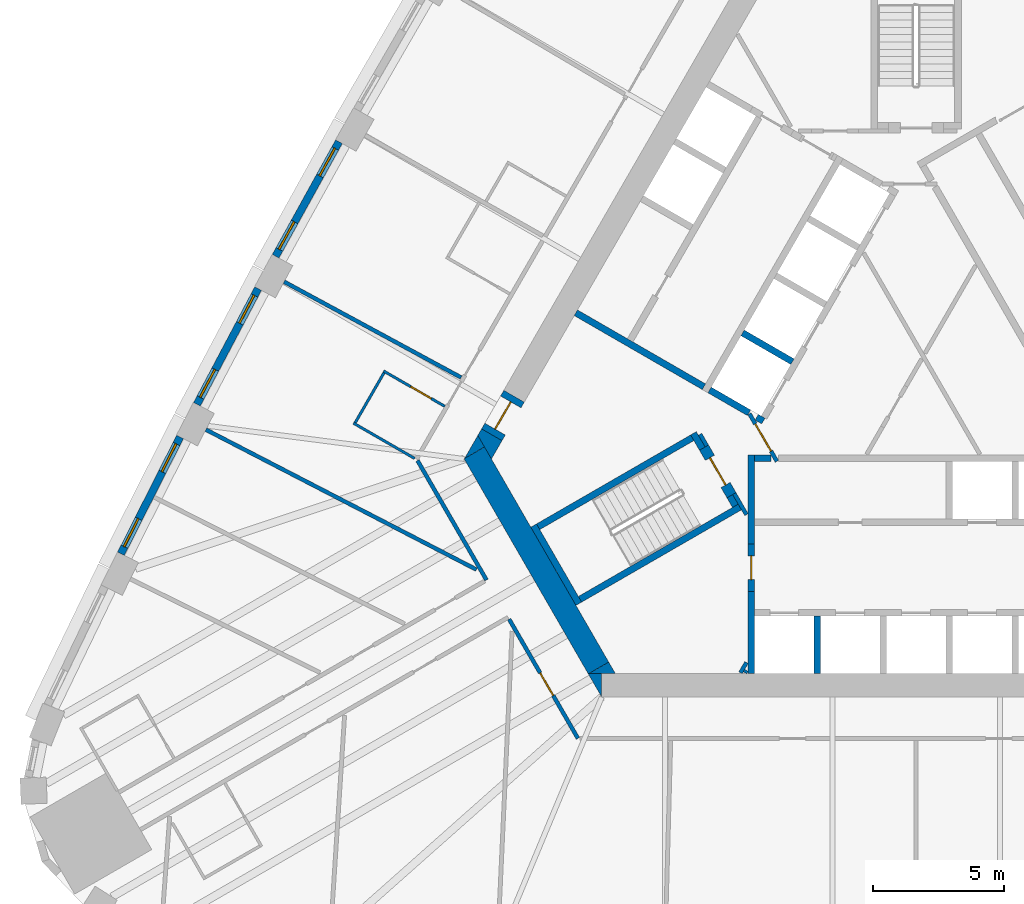
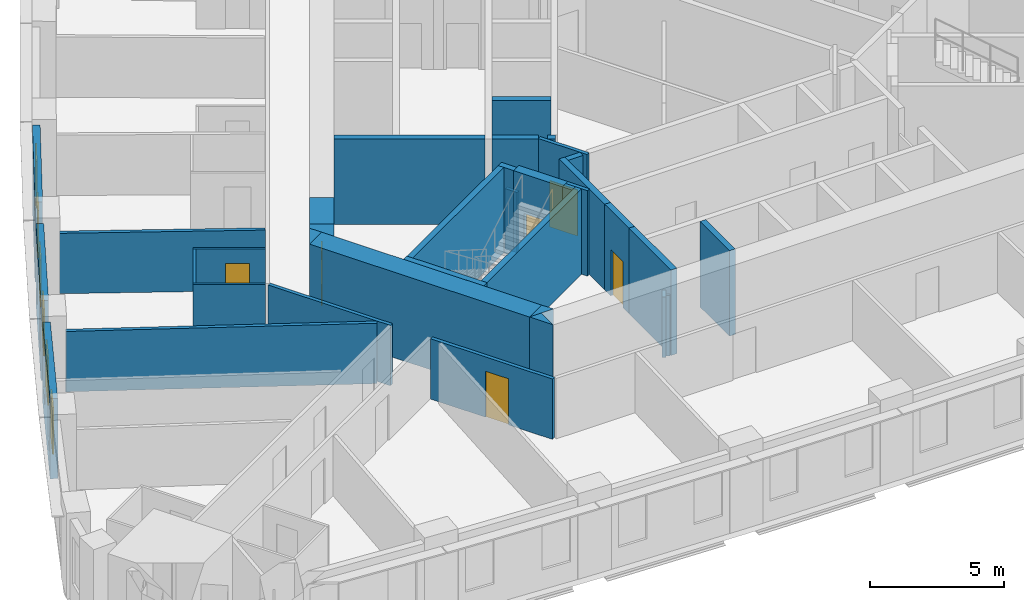
# One storey, part 4 of 12: 36 walls, 6 doors, 6 windows, 12 openings.
"""IFC4 building model written with IfcOpenShell, lengths in metres."""

from ifc_helpers import new_model, si_unit, direction, frame, frame_2d, origin, place, context, subcontext, project, spatial, polyline, rectangle, outline, extrude, material, layer, layer_set, type_object, element, fill, save


model = new_model("IFC4")

# Units and contexts
model_context = context("Model", 3, precision=1e-05, world=origin(), true_north=direction((0.0, 1.0)))
body_context = subcontext(model_context, "Body", "Model", "MODEL_VIEW")
ifc_project = project(units=[si_unit("LENGTHUNIT", "METRE"), si_unit("AREAUNIT", "SQUARE_METRE"), si_unit("VOLUMEUNIT", "CUBIC_METRE"), si_unit("PLANEANGLEUNIT", "RADIAN"), si_unit("MASSUNIT", "GRAM", prefix="KILO")], contexts=[model_context])

# Site, building, storey
site_placement = place(None, origin())
site = spatial("IfcSite", under=ifc_project, at=site_placement, CompositionType="ELEMENT")
building_placement = place(site_placement, origin())
building = spatial("IfcBuilding", under=site, at=building_placement, Name="Mestral Congress Tower", CompositionType="ELEMENT")
storey_placement = place(building_placement, frame((0.0, 0.0, 47.10009765625)))
storey = spatial("IfcBuildingStorey", under=building, at=storey_placement, Name="L10", CompositionType="ELEMENT", Elevation=47.10009765625)

# Walls
ifc_material_1 = material(Name="Fire-rated board partition")
ifc_layer_1 = layer(ifc_material_1, 0.14990234375)
ifc_layer_set_1 = layer_set([ifc_layer_1], Name="Fire-rated board partition")
wall_type_1 = type_object("IfcWallType", Name="Core partition 150", PredefinedType="PARTITIONING", material=ifc_layer_set_1)
wall_1_placement = place(storey_placement, frame((-6.707763671875, -12.068115234375, 0.0), z_axis=(0.0, 0.0, 1.0), x_axis=(0.500000789788, 0.8660249478, 0.0)))
element("IfcWall", 1, at=wall_1_placement, inside=storey, type_object=wall_type_1, Name="L10 core wall", PredefinedType="PARTITIONING", context=body_context, shape_type="SweptSolid", body=[
    extrude(rectangle(XDim=0.45556640625, YDim=0.14990234375, at=frame_2d((0.227783203125, 0.0))), origin(), (0.0, 0.0, 1.0), 2.75),
])
wall_2_placement = place(storey_placement, frame((-6.534423828125, -12.068115234375, 0.0), z_axis=(0.0, 0.0, 1.0), x_axis=(0.500240224089, 0.865886665912, 0.0)))
element("IfcWall", 2, at=wall_2_placement, inside=storey, type_object=wall_type_1, Name="L10 core wall", PredefinedType="PARTITIONING", context=body_context, shape_type="SweptSolid", body=[
    extrude(rectangle(XDim=0.10888671875, YDim=0.14990234375, at=frame_2d((0.054443359375, 0.0))), origin(), (0.0, 0.0, 1.0), 2.75),
])
wall_3_placement = place(storey_placement, frame((-8.251953125, -2.958251953125, 0.0), z_axis=(0.0, 0.0, 1.0), x_axis=(0.500174715838, -0.865924508047, 0.0)))
element("IfcWall", 3, at=wall_3_placement, inside=storey, type_object=wall_type_1, Name="L10 core wall", PredefinedType="PARTITIONING", context=body_context, shape_type="SweptSolid", body=[
    extrude(rectangle(XDim=0.513916015625, YDim=0.14990234375, at=frame_2d((0.2568359375, 0.0))), origin(), (0.0, 0.0, 1.0), 2.75),
])
ifc_material_2 = material(Name="Concrete C60/75", Category="concrete")
ifc_layer_2 = layer(ifc_material_2, 0.89990234375)
ifc_layer_set_2 = layer_set([ifc_layer_2], Name="Concrete C60/75")
wall_type_2 = type_object("IfcWallType", Name="Core wall RC 900", PredefinedType="SOLIDWALL", material=ifc_layer_set_2)
placement = place(storey_placement, origin())
element("IfcWall", 4, at=placement, inside=storey, type_object=wall_type_2, Name="L10 core wall", PredefinedType="SOLIDWALL", context=body_context, shape_type="SweptSolid", body=[
    extrude(outline(polyline([(-12.528564453125, -12.10009765625), (-12.0205078125, -12.10009765625), (-12.0205078125, -12.97998046875), (-12.528564453125, -12.10009765625)])), origin(), (0.0, 0.0, 1.0), 3.89990234375),
])
wall_5_placement = place(storey_placement, frame((-12.134033203125, -11.88330078125, 0.0), z_axis=(0.0, 0.0, 1.0), x_axis=(-0.500005339912, 0.866022320763, 0.0)))
element("IfcWall", 5, at=wall_5_placement, inside=storey, type_object=wall_type_2, Name="L10 core wall", PredefinedType="SOLIDWALL", context=body_context, shape_type="SweptSolid", body=[
    extrude(rectangle(XDim=9.48779296875, YDim=0.89990234375, at=frame_2d((4.743896484375, 0.0))), origin(), (0.0, 0.0, 1.0), 3.89990234375),
])
element("IfcWall", 6, at=placement, inside=storey, type_object=wall_type_2, Name="L10 core wall", PredefinedType="SOLIDWALL", context=body_context, shape_type="SweptSolid", body=[
    extrude(outline(polyline([(-16.4892578125, -3.43994140625), (-17.251220703125, -3.8798828125), (-16.7431640625, -3.0), (-16.4892578125, -3.43994140625)])), origin(), (0.0, 0.0, 1.0), 3.89990234375),
])
element("IfcWall", 7, at=placement, inside=storey, type_object=wall_type_2, Name="L10 core wall", PredefinedType="SOLIDWALL", context=body_context, shape_type="SweptSolid", body=[
    extrude(outline(polyline([(-11.4892578125, -12.10009765625), (-12.50537109375, -12.10009765625), (-11.743408203125, -11.66015625), (-11.4892578125, -12.10009765625)])), origin(), (0.0, 0.0, 1.0), 3.89990234375),
])
element("IfcWall", 8, at=placement, inside=storey, type_object=wall_type_2, Name="L10 core wall", PredefinedType="SOLIDWALL", context=body_context, shape_type="SweptSolid", body=[
    extrude(outline(polyline([(-15.81982421875, -3.20068359375), (-16.223388671875, -3.89990234375), (-16.7431640625, -3.0), (-16.599365234375, -2.750732421875), (-15.81982421875, -3.20068359375)])), origin(), (0.0, 0.0, 1.0), 3.89990234375),
])

# Wall, opening, door
wall_9_placement = place(storey_placement, frame((-16.20947265625, -2.9755859375, 0.0), z_axis=(0.0, 0.0, 1.0), x_axis=(0.499954529098, 0.86605165483, 0.0)))
wall_9 = element("IfcWall", 9, at=wall_9_placement, inside=storey, type_object=wall_type_2, Name="L10 door wall", PredefinedType="SOLIDWALL", context=body_context, shape_type="SweptSolid", body=[
    extrude(rectangle(XDim=1.699951171875, YDim=0.89990234375, at=frame_2d((0.85009765625, 0.0))), origin(), (0.0, 0.0, 1.0), 3.89990234375),
])
opening_1_placement = place(wall_9_placement, frame((0.25, 0.0, 0.0)))
opening_1 = element("IfcOpeningElement", 10, at=opening_1_placement, cuts=wall_9, Name="Opening XD3", PredefinedType="OPENING", context=body_context, shape_type="SweptSolid", body=[
    extrude(rectangle(XDim=1.199951171875, YDim=2.10009765625, at=frame_2d((0.60009765625, 1.050048828125))), frame((0.0, 0.4599609375, 0.0), z_axis=(0.0, -1.0, 0.0), x_axis=(1.0, 0.0, 0.0)), (0.0, 0.0, 1.0), 0.919921875),
])
ifc_material_3 = material(Name="Fire-rated steel door set", Category="steel")
door_type_1 = type_object("IfcDoorType", Name="Core door XD 1200x2100", OperationType="SINGLE_SWING_LEFT", PredefinedType="DOOR", material=ifc_material_3)
door_1_placement = place(opening_1_placement, origin())
door_1 = element("IfcDoor", 11, at=door_1_placement, inside=storey, type_object=door_type_1, Name="Door XD3", OperationType="SINGLE_SWING_LEFT", OverallHeight=2.10009765625, OverallWidth=1.199951171875, PredefinedType="DOOR", context=body_context, shape_type="SweptSolid", body=[
    extrude(rectangle(XDim=1.199951171875, YDim=2.10009765625, at=frame_2d((0.60009765625, 1.050048828125))), frame((0.0, 0.02490234375, 0.0), z_axis=(0.0, -1.0, 0.0), x_axis=(1.0, 0.0, 0.0)), (0.0, 0.0, 1.0), 0.050048828125),
])
fill(opening_1, door_1)

# Wall, openings, windows
ifc_material_4 = material(Name="Precast concrete C40/50 with limestone facing", Category="masonry")
ifc_layer_3 = layer(ifc_material_4, 0.2900390625)
ifc_layer_set_3 = layer_set([ifc_layer_3], Name="Precast concrete C40/50 with limestone facing")
wall_type_3 = type_object("IfcWallType", Name="Facade stone wall 290", PredefinedType="SOLIDWALL", material=ifc_layer_set_3)
wall_10_placement = place(storey_placement, frame((-22.049560546875, 8.2197265625, 0.0), z_axis=(0.0, 0.0, 1.0), x_axis=(-0.483912572871, -0.875116347589, 0.0)))
wall_10 = element("IfcWall", 12, at=wall_10_placement, inside=storey, type_object=wall_type_3, Name="Facade wall F2-05", PredefinedType="SOLIDWALL", context=body_context, shape_type="SweptSolid", body=[
    extrude(rectangle(XDim=4.998291015625, YDim=0.2900390625, at=frame_2d((2.4990234375, 0.0))), origin(), (0.0, 0.0, 1.0), 3.64990234375),
])
opening_2_placement = place(wall_10_placement, frame((0.297119140625, 0.0, 0.89990234375)))
opening_2 = element("IfcOpeningElement", 13, at=opening_2_placement, cuts=wall_10, Name="Opening W1", PredefinedType="OPENING", context=body_context, shape_type="SweptSolid", body=[
    extrude(rectangle(XDim=1.199951171875, YDim=2.14990234375, at=frame_2d((0.60009765625, 1.074951171875))), frame((0.0, 0.155029296875, 0.0), z_axis=(0.0, -1.0, 0.0), x_axis=(1.0, 0.0, 0.0)), (0.0, 0.0, 1.0), 0.31005859375),
])
opening_3_placement = place(wall_10_placement, frame((3.501220703125, 0.0, 0.89990234375)))
opening_3 = element("IfcOpeningElement", 14, at=opening_3_placement, cuts=wall_10, Name="Opening W1", PredefinedType="OPENING", context=body_context, shape_type="SweptSolid", body=[
    extrude(rectangle(XDim=1.199951171875, YDim=2.14990234375, at=frame_2d((0.60009765625, 1.074951171875))), frame((0.0, 0.155029296875, 0.0), z_axis=(0.0, -1.0, 0.0), x_axis=(1.0, 0.0, 0.0)), (0.0, 0.0, 1.0), 0.31005859375),
])
ifc_material_5 = material(Name="Clear low-emissivity double glazing", Category="glass")
window_type = type_object("IfcWindowType", Name="Facade punched window 1200 x 2150 sill 900", PartitioningType="DOUBLE_PANEL_VERTICAL", PredefinedType="WINDOW", material=ifc_material_5)
window_1_placement = place(opening_2_placement, origin())
window_1 = element("IfcWindow", 15, at=window_1_placement, inside=storey, type_object=window_type, Name="Window F2-05a", OverallHeight=2.14990234375, OverallWidth=1.199951171875, PartitioningType="DOUBLE_PANEL_VERTICAL", PredefinedType="WINDOW", context=body_context, shape_type="SweptSolid", body=[
    extrude(rectangle(XDim=1.199951171875, YDim=2.14990234375, at=frame_2d((0.60009765625, 1.074951171875))), frame((0.0, 0.01513671875, 0.0), z_axis=(0.0, -1.0, 0.0), x_axis=(1.0, 0.0, 0.0)), (0.0, 0.0, 1.0), 0.06005859375),
])
fill(opening_2, window_1)
window_2_placement = place(opening_3_placement, origin())
window_2 = element("IfcWindow", 16, at=window_2_placement, inside=storey, type_object=window_type, Name="Window F2-05b", OverallHeight=2.14990234375, OverallWidth=1.199951171875, PartitioningType="DOUBLE_PANEL_VERTICAL", PredefinedType="WINDOW", context=body_context, shape_type="SweptSolid", body=[
    extrude(rectangle(XDim=1.199951171875, YDim=2.14990234375, at=frame_2d((0.60009765625, 1.074951171875))), frame((0.0, 0.01513671875, 0.0), z_axis=(0.0, -1.0, 0.0), x_axis=(1.0, 0.0, 0.0)), (0.0, 0.0, 1.0), 0.06005859375),
])
fill(opening_3, window_2)

wall_11_placement = place(storey_placement, frame((-25.1376953125, 2.60791015625, 0.0), z_axis=(0.0, 0.0, 1.0), x_axis=(-0.467629620899, -0.883924509026, 0.0)))
wall_11 = element("IfcWall", 17, at=wall_11_placement, inside=storey, type_object=wall_type_3, Name="Facade wall F2-06", PredefinedType="SOLIDWALL", context=body_context, shape_type="SweptSolid", body=[
    extrude(rectangle(XDim=4.998291015625, YDim=0.2900390625, at=frame_2d((2.4990234375, 0.0))), origin(), (0.0, 0.0, 1.0), 3.64990234375),
])
opening_4_placement = place(wall_11_placement, frame((0.297119140625, 0.0, 0.89990234375)))
opening_4 = element("IfcOpeningElement", 18, at=opening_4_placement, cuts=wall_11, Name="Opening W1", PredefinedType="OPENING", context=body_context, shape_type="SweptSolid", body=[
    extrude(rectangle(XDim=1.199951171875, YDim=2.14990234375, at=frame_2d((0.60009765625, 1.074951171875))), frame((0.0, 0.155029296875, 0.0), z_axis=(0.0, -1.0, 0.0), x_axis=(1.0, 0.0, 0.0)), (0.0, 0.0, 1.0), 0.31005859375),
])
opening_5_placement = place(wall_11_placement, frame((3.501220703125, 0.0, 0.89990234375)))
opening_5 = element("IfcOpeningElement", 19, at=opening_5_placement, cuts=wall_11, Name="Opening W1", PredefinedType="OPENING", context=body_context, shape_type="SweptSolid", body=[
    extrude(rectangle(XDim=1.199951171875, YDim=2.14990234375, at=frame_2d((0.60009765625, 1.074951171875))), frame((0.0, 0.155029296875, 0.0), z_axis=(0.0, -1.0, 0.0), x_axis=(1.0, 0.0, 0.0)), (0.0, 0.0, 1.0), 0.31005859375),
])
window_3_placement = place(opening_4_placement, origin())
window_3 = element("IfcWindow", 20, at=window_3_placement, inside=storey, type_object=window_type, Name="Window F2-06a", OverallHeight=2.14990234375, OverallWidth=1.199951171875, PartitioningType="DOUBLE_PANEL_VERTICAL", PredefinedType="WINDOW", context=body_context, shape_type="SweptSolid", body=[
    extrude(rectangle(XDim=1.199951171875, YDim=2.14990234375, at=frame_2d((0.60009765625, 1.074951171875))), frame((0.0, 0.01513671875, 0.0), z_axis=(0.0, -1.0, 0.0), x_axis=(1.0, 0.0, 0.0)), (0.0, 0.0, 1.0), 0.06005859375),
])
fill(opening_4, window_3)
window_4_placement = place(opening_5_placement, origin())
window_4 = element("IfcWindow", 21, at=window_4_placement, inside=storey, type_object=window_type, Name="Window F2-06b", OverallHeight=2.14990234375, OverallWidth=1.199951171875, PartitioningType="DOUBLE_PANEL_VERTICAL", PredefinedType="WINDOW", context=body_context, shape_type="SweptSolid", body=[
    extrude(rectangle(XDim=1.199951171875, YDim=2.14990234375, at=frame_2d((0.60009765625, 1.074951171875))), frame((0.0, 0.01513671875, 0.0), z_axis=(0.0, -1.0, 0.0), x_axis=(1.0, 0.0, 0.0)), (0.0, 0.0, 1.0), 0.06005859375),
])
fill(opening_5, window_4)

wall_12_placement = place(storey_placement, frame((-28.12158203125, -3.06005859375, 0.0), z_axis=(0.0, 0.0, 1.0), x_axis=(-0.451233929645, -0.892405704115, 0.0)))
wall_12 = element("IfcWall", 22, at=wall_12_placement, inside=storey, type_object=wall_type_3, Name="Facade wall F2-07", PredefinedType="SOLIDWALL", context=body_context, shape_type="SweptSolid", body=[
    extrude(rectangle(XDim=4.998291015625, YDim=0.2900390625, at=frame_2d((2.4990234375, 0.0))), origin(), (0.0, 0.0, 1.0), 3.64990234375),
])
opening_6_placement = place(wall_12_placement, frame((0.297119140625, 0.0, 0.89990234375)))
opening_6 = element("IfcOpeningElement", 23, at=opening_6_placement, cuts=wall_12, Name="Opening W1", PredefinedType="OPENING", context=body_context, shape_type="SweptSolid", body=[
    extrude(rectangle(XDim=1.199951171875, YDim=2.14990234375, at=frame_2d((0.60009765625, 1.074951171875))), frame((0.0, 0.155029296875, 0.0), z_axis=(0.0, -1.0, 0.0), x_axis=(1.0, 0.0, 0.0)), (0.0, 0.0, 1.0), 0.31005859375),
])
opening_7_placement = place(wall_12_placement, frame((3.501220703125, 0.0, 0.89990234375)))
opening_7 = element("IfcOpeningElement", 24, at=opening_7_placement, cuts=wall_12, Name="Opening W1", PredefinedType="OPENING", context=body_context, shape_type="SweptSolid", body=[
    extrude(rectangle(XDim=1.199951171875, YDim=2.14990234375, at=frame_2d((0.60009765625, 1.074951171875))), frame((0.0, 0.155029296875, 0.0), z_axis=(0.0, -1.0, 0.0), x_axis=(1.0, 0.0, 0.0)), (0.0, 0.0, 1.0), 0.31005859375),
])
window_5_placement = place(opening_6_placement, origin())
window_5 = element("IfcWindow", 25, at=window_5_placement, inside=storey, type_object=window_type, Name="Window F2-07a", OverallHeight=2.14990234375, OverallWidth=1.199951171875, PartitioningType="DOUBLE_PANEL_VERTICAL", PredefinedType="WINDOW", context=body_context, shape_type="SweptSolid", body=[
    extrude(rectangle(XDim=1.199951171875, YDim=2.14990234375, at=frame_2d((0.60009765625, 1.074951171875))), frame((0.0, 0.01513671875, 0.0), z_axis=(0.0, -1.0, 0.0), x_axis=(1.0, 0.0, 0.0)), (0.0, 0.0, 1.0), 0.06005859375),
])
fill(opening_6, window_5)
window_6_placement = place(opening_7_placement, origin())
window_6 = element("IfcWindow", 26, at=window_6_placement, inside=storey, type_object=window_type, Name="Window F2-07b", OverallHeight=2.14990234375, OverallWidth=1.199951171875, PartitioningType="DOUBLE_PANEL_VERTICAL", PredefinedType="WINDOW", context=body_context, shape_type="SweptSolid", body=[
    extrude(rectangle(XDim=1.199951171875, YDim=2.14990234375, at=frame_2d((0.60009765625, 1.074951171875))), frame((0.0, 0.01513671875, 0.0), z_axis=(0.0, -1.0, 0.0), x_axis=(1.0, 0.0, 0.0)), (0.0, 0.0, 1.0), 0.06005859375),
])
fill(opening_7, window_6)

# Wall, opening, door
ifc_material_6 = material(Name="Gypsum board partition on metal studs with mineral wool", Category="composite")
ifc_layer_4 = layer(ifc_material_6, 0.10009765625)
ifc_layer_set_4 = layer_set([ifc_layer_4], Name="Gypsum board partition on metal studs with mineral wool")
wall_type_4 = type_object("IfcWallType", Name="Hotel partition wall 100", PredefinedType="PARTITIONING", material=ifc_layer_set_4)
wall_13_placement = place(storey_placement, frame((-18.00634765625, -1.887939453125, 0.0), z_axis=(0.0, 0.0, 1.0), x_axis=(-0.866036505625, 0.499980770555, 0.0)))
wall_13 = element("IfcWall", 27, at=wall_13_placement, inside=storey, type_object=wall_type_4, Name="L10-h-pod24a", PredefinedType="PARTITIONING", context=body_context, shape_type="SweptSolid", body=[
    extrude(rectangle(XDim=2.69970703125, YDim=0.10009765625, at=frame_2d((1.349853515625, 0.0))), origin(), (0.0, 0.0, 1.0), 2.75),
])
opening_8_placement = place(wall_13_placement, frame((0.60009765625, 0.0, 0.0)))
opening_8 = element("IfcOpeningElement", 28, at=opening_8_placement, cuts=wall_13, Name="Opening H02-040", PredefinedType="OPENING", context=body_context, shape_type="SweptSolid", body=[
    extrude(rectangle(XDim=0.89990234375, YDim=2.10009765625, at=frame_2d((0.449951171875, 1.050048828125))), frame((0.0, 0.06005859375, 0.0), z_axis=(0.0, -1.0, 0.0), x_axis=(1.0, 0.0, 0.0)), (0.0, 0.0, 1.0), 0.1201171875),
])
ifc_material_7 = material(Name="Timber veneer door leaf in timber frame", Category="wood")
door_type_2 = type_object("IfcDoorType", Name="Bathroom door 900", OperationType="SINGLE_SWING_LEFT", PredefinedType="DOOR", material=ifc_material_7)
door_2_placement = place(opening_8_placement, origin())
door_2 = element("IfcDoor", 29, at=door_2_placement, inside=storey, type_object=door_type_2, Name="L10-h-d040", OperationType="SINGLE_SWING_RIGHT", OverallHeight=2.10009765625, OverallWidth=0.89990234375, PredefinedType="DOOR", context=body_context, shape_type="SweptSolid", body=[
    extrude(rectangle(XDim=0.89990234375, YDim=2.10009765625, at=frame_2d((0.449951171875, 1.050048828125))), frame((0.0, 0.02490234375, 0.0), z_axis=(0.0, -1.0, 0.0), x_axis=(1.0, 0.0, 0.0)), (0.0, 0.0, 1.0), 0.050048828125),
])
fill(opening_8, door_2)

# Walls
wall_14_placement = place(storey_placement, frame((-20.326416015625, -0.606201171875, 0.0), z_axis=(0.0, 0.0, 1.0), x_axis=(-0.499946605688, -0.86605622881, 0.0)))
element("IfcWall", 30, at=wall_14_placement, inside=storey, type_object=wall_type_4, Name="L10-h-pod24b", PredefinedType="PARTITIONING", context=body_context, shape_type="SweptSolid", body=[
    extrude(rectangle(XDim=2.199951171875, YDim=0.10009765625, at=frame_2d((1.10009765625, 0.0))), origin(), (0.0, 0.0, 1.0), 2.75),
])
wall_15_placement = place(storey_placement, frame((-19.156494140625, -3.8798828125, 0.0), z_axis=(0.0, 0.0, 1.0), x_axis=(-0.86599734893, 0.500048589285, 0.0)))
element("IfcWall", 31, at=wall_15_placement, inside=storey, type_object=wall_type_4, Name="L10-h-pod24c", PredefinedType="PARTITIONING", context=body_context, shape_type="SweptSolid", body=[
    extrude(rectangle(XDim=2.699951171875, YDim=0.10009765625, at=frame_2d((1.35009765625, 0.0))), origin(), (0.0, 0.0, 1.0), 2.75),
])
ifc_layer_5 = layer(ifc_material_6, 0.14990234375)
ifc_layer_set_5 = layer_set([ifc_layer_5], Name="Gypsum board partition on metal studs with mineral wool")
wall_type_5 = type_object("IfcWallType", Name="Hotel partition wall 150", PredefinedType="PARTITIONING", material=ifc_layer_set_5)
wall_16_placement = place(storey_placement, frame((-16.412353515625, -8.52294921875, 0.0), z_axis=(0.0, 0.0, 1.0), x_axis=(-0.500001929737, 0.866024289647, 0.0)))
element("IfcWall", 32, at=wall_16_placement, inside=storey, type_object=wall_type_5, Name="L10-h-cw09", PredefinedType="PARTITIONING", context=body_context, shape_type="SweptSolid", body=[
    extrude(rectangle(XDim=5.26806640625, YDim=0.14990234375, at=frame_2d((2.634033203125, 0.0))), origin(), (0.0, 0.0, 1.0), 2.75),
])

# Wall, opening, door
wall_17_placement = place(storey_placement, frame((-12.918212890625, -14.574951171875, 0.0), z_axis=(0.0, 0.0, 1.0), x_axis=(-0.500009150678, 0.866020120573, 0.0)))
wall_17 = element("IfcWall", 33, at=wall_17_placement, inside=storey, type_object=wall_type_5, Name="L10-h-cw12", PredefinedType="PARTITIONING", context=body_context, shape_type="SweptSolid", body=[
    extrude(rectangle(XDim=5.25830078125, YDim=0.14990234375, at=frame_2d((2.629150390625, 0.0))), origin(), (0.0, 0.0, 1.0), 2.75),
])
opening_9_placement = place(wall_17_placement, frame((1.88818359375, 0.0, 0.0)))
opening_9 = element("IfcOpeningElement", 34, at=opening_9_placement, cuts=wall_17, Name="Opening H02-004", PredefinedType="OPENING", context=body_context, shape_type="SweptSolid", body=[
    extrude(rectangle(XDim=1.0, YDim=2.10009765625, at=frame_2d((0.5, 1.050048828125))), frame((0.0, 0.0849609375, 0.0), z_axis=(0.0, -1.0, 0.0), x_axis=(1.0, 0.0, 0.0)), (0.0, 0.0, 1.0), 0.169921875),
])
ifc_material_8 = material(Name="Timber veneer door leaf in metal frame", Category="wood")
door_type_3 = type_object("IfcDoorType", Name="Guest room entrance door 1000", OperationType="SINGLE_SWING_LEFT", PredefinedType="DOOR", material=ifc_material_8)
door_3_placement = place(opening_9_placement, origin())
door_3 = element("IfcDoor", 35, at=door_3_placement, inside=storey, type_object=door_type_3, Name="L10-h-d004", OperationType="SINGLE_SWING_LEFT", OverallHeight=2.10009765625, OverallWidth=1.0, PredefinedType="DOOR", context=body_context, shape_type="SweptSolid", body=[
    extrude(rectangle(XDim=1.0, YDim=2.10009765625, at=frame_2d((0.5, 1.050048828125))), frame((0.0, 0.02490234375, 0.0), z_axis=(0.0, -1.0, 0.0), x_axis=(1.0, 0.0, 0.0)), (0.0, 0.0, 1.0), 0.050048828125),
])
fill(opening_9, door_3)

# Walls
wall_18_placement = place(storey_placement, frame((-24.14453125, 2.87060546875, 0.0), z_axis=(0.0, 0.0, 1.0), x_axis=(0.879551725039, -0.475803281809, 0.0)))
element("IfcWall", 36, at=wall_18_placement, inside=storey, type_object=wall_type_5, Name="L10-h-pw05", PredefinedType="PARTITIONING", context=body_context, shape_type="SweptSolid", body=[
    extrude(rectangle(XDim=7.68798828125, YDim=0.14990234375, at=frame_2d((3.843994140625, 0.0))), origin(), (0.0, 0.0, 1.0), 2.75),
])
wall_19_placement = place(storey_placement, frame((-27.133544921875, -2.779052734375, 0.0), z_axis=(0.0, 0.0, 1.0), x_axis=(0.8882049501, -0.459447457951, 0.0)))
element("IfcWall", 37, at=wall_19_placement, inside=storey, type_object=wall_type_5, Name="L10-h-pw06", PredefinedType="PARTITIONING", context=body_context, shape_type="SweptSolid", body=[
    extrude(rectangle(XDim=11.63818359375, YDim=0.14990234375, at=frame_2d((5.819091796875, 0.0))), origin(), (0.0, 0.0, 1.0), 2.75),
])
ifc_layer_6 = layer(ifc_material_2, 0.25)
ifc_layer_set_6 = layer_set([ifc_layer_6], Name="Concrete C60/75")
wall_type_6 = type_object("IfcWallType", Name="Shaft wall RC 250", PredefinedType="SOLIDWALL", material=ifc_layer_set_6)
wall_20_placement = place(storey_placement, frame((-3.780029296875, -12.10009765625, 0.0), z_axis=(0.0, 0.0, 1.0), x_axis=(0.0, 1.0, 0.0)))
element("IfcWall", 38, at=wall_20_placement, inside=storey, type_object=wall_type_6, Name="L10 core wall", PredefinedType="SOLIDWALL", context=body_context, shape_type="SweptSolid", body=[
    extrude(rectangle(XDim=2.199951171875, YDim=0.25, at=frame_2d((1.10009765625, 0.0))), origin(), (0.0, 0.0, 1.0), 3.89990234375),
])
wall_21_placement = place(storey_placement, frame((-6.300048828125, -12.10009765625, 0.0), z_axis=(0.0, 0.0, 1.0), x_axis=(0.0, 1.0, 0.0)))
element("IfcWall", 39, at=wall_21_placement, inside=storey, type_object=wall_type_6, Name="L10 core wall", PredefinedType="SOLIDWALL", context=body_context, shape_type="SweptSolid", body=[
    extrude(rectangle(XDim=3.1455078125, YDim=0.25, at=frame_2d((1.57275390625, 0.0))), origin(), (0.0, 0.0, 1.0), 3.89990234375),
])
wall_22_placement = place(storey_placement, frame((-6.300048828125, -3.75, 0.0), z_axis=(0.0, 0.0, 1.0), x_axis=(0.0, -1.0, 0.0)))
element("IfcWall", 40, at=wall_22_placement, inside=storey, type_object=wall_type_6, Name="L10 core wall", PredefinedType="SOLIDWALL", context=body_context, shape_type="SweptSolid", body=[
    extrude(rectangle(XDim=3.404296875, YDim=0.25, at=frame_2d((1.7021484375, 0.0))), origin(), (0.0, 0.0, 1.0), 3.89990234375),
])
wall_23_placement = place(storey_placement, frame((-6.175048828125, -3.875, 0.0), z_axis=(0.0, 0.0, 1.0), x_axis=(1.0, 0.0, 0.0)))
element("IfcWall", 41, at=wall_23_placement, inside=storey, type_object=wall_type_6, Name="L10 core wall", PredefinedType="SOLIDWALL", context=body_context, shape_type="SweptSolid", body=[
    extrude(rectangle(XDim=0.63671875, YDim=0.25, at=frame_2d((0.318359375, 0.0))), origin(), (0.0, 0.0, 1.0), 3.89990234375),
])
wall_24_placement = place(storey_placement, frame((-4.72412109375, -0.182373046875, 0.0), z_axis=(0.0, 0.0, 1.0), x_axis=(-0.866008176907, 0.50002983664, 0.0)))
element("IfcWall", 42, at=wall_24_placement, inside=storey, type_object=wall_type_6, Name="L10 core wall", PredefinedType="SOLIDWALL", context=body_context, shape_type="SweptSolid", body=[
    extrude(rectangle(XDim=2.199951171875, YDim=0.25, at=frame_2d((1.10009765625, 0.0))), origin(), (0.0, 0.0, 1.0), 3.89990234375),
])
wall_25_placement = place(storey_placement, frame((-6.088134765625, -2.3046875, 0.0), z_axis=(0.0, 0.0, 1.0), x_axis=(0.866059450854, -0.499941024108, 0.0)))
element("IfcWall", 43, at=wall_25_placement, inside=storey, type_object=wall_type_6, Name="L10 core wall", PredefinedType="SOLIDWALL", context=body_context, shape_type="SweptSolid", body=[
    extrude(rectangle(XDim=0.2900390625, YDim=0.25, at=frame_2d((0.14501953125, 0.0))), origin(), (0.0, 0.0, 1.0), 3.89990234375),
])
wall_26_placement = place(storey_placement, frame((-7.889404296875, -1.2646484375, 0.0), z_axis=(0.0, 0.0, 1.0), x_axis=(0.865986741702, -0.500066958712, 0.0)))
element("IfcWall", 44, at=wall_26_placement, inside=storey, type_object=wall_type_6, Name="L10 core wall", PredefinedType="SOLIDWALL", context=body_context, shape_type="SweptSolid", body=[
    extrude(rectangle(XDim=1.738037109375, YDim=0.25, at=frame_2d((0.869140625, 0.0))), origin(), (0.0, 0.0, 1.0), 3.89990234375),
])
wall_27_placement = place(storey_placement, frame((-8.10595703125, -1.139892578125, 0.0), z_axis=(0.0, 0.0, 1.0), x_axis=(-0.866000643155, 0.500042884217, 0.0)))
element("IfcWall", 45, at=wall_27_placement, inside=storey, type_object=wall_type_6, Name="L10 core wall", PredefinedType="SOLIDWALL", context=body_context, shape_type="SweptSolid", body=[
    extrude(rectangle(XDim=5.64990234375, YDim=0.25, at=frame_2d((2.824951171875, 0.0))), origin(), (0.0, 0.0, 1.0), 3.89990234375),
])

# Wall, opening, door
wall_28_placement = place(storey_placement, frame((-6.300048828125, -7.154296875, 0.0), z_axis=(0.0, 0.0, 1.0), x_axis=(0.0, -1.0, 0.0)))
wall_28 = element("IfcWall", 46, at=wall_28_placement, inside=storey, type_object=wall_type_6, Name="L10 door wall", PredefinedType="SOLIDWALL", context=body_context, shape_type="SweptSolid", body=[
    extrude(rectangle(XDim=1.800048828125, YDim=0.25, at=frame_2d((0.89990234375, 0.0))), origin(), (0.0, 0.0, 1.0), 3.89990234375),
])
opening_10_placement = place(wall_28_placement, frame((0.449951171875, 0.0, 0.0)))
opening_10 = element("IfcOpeningElement", 47, at=opening_10_placement, cuts=wall_28, Name="Opening TD3", PredefinedType="OPENING", context=body_context, shape_type="SweptSolid", body=[
    extrude(rectangle(XDim=0.89990234375, YDim=2.10009765625, at=frame_2d((0.449951171875, 1.050048828125))), frame((0.0, 0.135009765625, 0.0), z_axis=(0.0, -1.0, 0.0), x_axis=(1.0, 0.0, 0.0)), (0.0, 0.0, 1.0), 0.27001953125),
])
door_type_4 = type_object("IfcDoorType", Name="Core door SR 900x2100", OperationType="SINGLE_SWING_LEFT", PredefinedType="DOOR", material=ifc_material_3)
door_4_placement = place(opening_10_placement, origin())
door_4 = element("IfcDoor", 48, at=door_4_placement, inside=storey, type_object=door_type_4, Name="Door TD3", OperationType="SINGLE_SWING_LEFT", OverallHeight=2.10009765625, OverallWidth=0.89990234375, PredefinedType="DOOR", context=body_context, shape_type="SweptSolid", body=[
    extrude(rectangle(XDim=0.89990234375, YDim=2.10009765625, at=frame_2d((0.449951171875, 1.050048828125))), frame((0.0, 0.02490234375, 0.0), z_axis=(0.0, -1.0, 0.0), x_axis=(1.0, 0.0, 0.0)), (0.0, 0.0, 1.0), 0.050048828125),
])
fill(opening_10, door_4)

# Wall
ifc_layer_7 = layer(ifc_material_2, 0.14990234375)
ifc_layer_set_7 = layer_set([ifc_layer_7], Name="Concrete C60/75")
wall_type_7 = type_object("IfcWallType", Name="Shaft wall RC 250 door-wall 150", PredefinedType="SOLIDWALL", material=ifc_layer_set_7)
wall_29_placement = place(storey_placement, frame((-6.48046875, -6.026611328125, 0.0), z_axis=(0.0, 0.0, 1.0), x_axis=(-0.499927229454, 0.866067413802, 0.0)))
element("IfcWall", 49, at=wall_29_placement, inside=storey, type_object=wall_type_7, Name="L10 core wall", PredefinedType="PARTITIONING", context=body_context, shape_type="SweptSolid", body=[
    extrude(rectangle(XDim=0.928955078125, YDim=0.14990234375, at=frame_2d((0.46435546875, 0.0))), origin(), (0.0, 0.0, 1.0), 3.89990234375),
])

# Wall, opening, door
wall_30_placement = place(storey_placement, frame((-5.3173828125, -3.98974609375, 0.0), z_axis=(0.0, 0.0, 1.0), x_axis=(-0.500027713859, 0.866009402589, 0.0)))
wall_30 = element("IfcWall", 50, at=wall_30_placement, inside=storey, type_object=wall_type_7, Name="L10 door wall", PredefinedType="PARTITIONING", context=body_context, shape_type="SweptSolid", body=[
    extrude(rectangle(XDim=2.10009765625, YDim=0.14990234375, at=frame_2d((1.050048828125, 0.0))), origin(), (0.0, 0.0, 1.0), 3.89990234375),
])
opening_11_placement = place(wall_30_placement, frame((0.449951171875, 0.0, 0.0)))
opening_11 = element("IfcOpeningElement", 51, at=opening_11_placement, cuts=wall_30, Name="Opening CD3-FF", PredefinedType="OPENING", context=body_context, shape_type="SweptSolid", body=[
    extrude(rectangle(XDim=1.199951171875, YDim=2.10009765625, at=frame_2d((0.60009765625, 1.050048828125))), frame((0.0, 0.0849609375, 0.0), z_axis=(0.0, -1.0, 0.0), x_axis=(1.0, 0.0, 0.0)), (0.0, 0.0, 1.0), 0.169921875),
])
door_type_5 = type_object("IfcDoorType", Name="Core door CD 1200x2100", OperationType="SINGLE_SWING_LEFT", PredefinedType="DOOR", material=ifc_material_3)
door_5_placement = place(opening_11_placement, origin())
door_5 = element("IfcDoor", 52, at=door_5_placement, inside=storey, type_object=door_type_5, Name="Door CD3-FF", OperationType="SINGLE_SWING_LEFT", OverallHeight=2.10009765625, OverallWidth=1.199951171875, PredefinedType="DOOR", context=body_context, shape_type="SweptSolid", body=[
    extrude(rectangle(XDim=1.199951171875, YDim=2.10009765625, at=frame_2d((0.60009765625, 1.050048828125))), frame((0.0, 0.02490234375, 0.0), z_axis=(0.0, -1.0, 0.0), x_axis=(1.0, 0.0, 0.0)), (0.0, 0.0, 1.0), 0.050048828125),
])
fill(opening_11, door_5)

# Walls
ifc_layer_8 = layer(ifc_material_2, 0.25)
ifc_layer_set_8 = layer_set([ifc_layer_8], Name="Concrete C60/75")
wall_type_8 = type_object("IfcWallType", Name="Stair wall RC 250", PredefinedType="SOLIDWALL", material=ifc_layer_set_8)
wall_31_placement = place(storey_placement, frame((-12.885498046875, -9.431396484375, 0.0), z_axis=(0.0, 0.0, 1.0), x_axis=(-0.500020560727, 0.866013532718, 0.0)))
element("IfcWall", 53, at=wall_31_placement, inside=storey, type_object=wall_type_8, Name="L10 core wall", PredefinedType="SOLIDWALL", context=body_context, shape_type="SweptSolid", body=[
    extrude(rectangle(XDim=3.449951171875, YDim=0.25, at=frame_2d((1.72509765625, 0.0))), origin(), (0.0, 0.0, 1.0), 3.89990234375),
])
wall_32_placement = place(storey_placement, frame((-14.43994140625, -6.489501953125, 0.0), z_axis=(0.0, 0.0, 1.0), x_axis=(0.866022966069, 0.500004222222, 0.0)))
element("IfcWall", 54, at=wall_32_placement, inside=storey, type_object=wall_type_8, Name="L10 core wall", PredefinedType="SOLIDWALL", context=body_context, shape_type="SweptSolid", body=[
    extrude(rectangle(XDim=6.80029296875, YDim=0.25, at=frame_2d((3.400146484375, 0.0))), origin(), (0.0, 0.0, 1.0), 3.89990234375),
])
wall_33_placement = place(storey_placement, frame((-8.167724609375, -3.503173828125, 0.0), z_axis=(0.0, 0.0, 1.0), x_axis=(-0.499952099219, 0.866053057547, 0.0)))
element("IfcWall", 55, at=wall_33_placement, inside=storey, type_object=wall_type_8, Name="L10 core wall", PredefinedType="SOLIDWALL", context=body_context, shape_type="SweptSolid", body=[
    extrude(rectangle(XDim=0.6748046875, YDim=0.25, at=frame_2d((0.33740234375, 0.0))), origin(), (0.0, 0.0, 1.0), 3.89990234375),
])
wall_34_placement = place(storey_placement, frame((-12.83984375, -9.2607421875, 0.0), z_axis=(0.0, 0.0, 1.0), x_axis=(0.866016039709, 0.500016218704, 0.0)))
element("IfcWall", 56, at=wall_34_placement, inside=storey, type_object=wall_type_8, Name="L10 core wall", PredefinedType="SOLIDWALL", context=body_context, shape_type="SweptSolid", body=[
    extrude(rectangle(XDim=7.050048828125, YDim=0.25, at=frame_2d((3.52490234375, 0.0))), origin(), (0.0, 0.0, 1.0), 3.89990234375),
])
wall_35_placement = place(storey_placement, frame((-6.905029296875, -5.68994140625, 0.0), z_axis=(0.0, 0.0, 1.0), x_axis=(-0.500402024738, 0.865793170242, 0.0)))
element("IfcWall", 57, at=wall_35_placement, inside=storey, type_object=wall_type_8, Name="L10 core wall", PredefinedType="SOLIDWALL", context=body_context, shape_type="SweptSolid", body=[
    extrude(rectangle(XDim=0.425048828125, YDim=0.25, at=frame_2d((0.21240234375, 0.0))), origin(), (0.0, 0.0, 1.0), 3.89990234375),
])

# Wall, opening, door
ifc_layer_9 = layer(ifc_material_2, 0.39990234375)
ifc_layer_set_9 = layer_set([ifc_layer_9], Name="Concrete C60/75")
wall_type_9 = type_object("IfcWallType", Name="Stair wall RC 250 door-wall 400", PredefinedType="SOLIDWALL", material=ifc_layer_set_9)
wall_36_placement = place(storey_placement, frame((-8.102783203125, -3.4658203125, 0.0), z_axis=(0.0, 0.0, 1.0), x_axis=(0.500078061341, -0.865980330357, 0.0)))
wall_36 = element("IfcWall", 58, at=wall_36_placement, inside=storey, type_object=wall_type_9, Name="L10 door wall", PredefinedType="SOLIDWALL", context=body_context, shape_type="SweptSolid", body=[
    extrude(rectangle(XDim=2.099853515625, YDim=0.39990234375, at=frame_2d((1.0498046875, 0.0))), origin(), (0.0, 0.0, 1.0), 3.89990234375),
])
opening_12_placement = place(wall_36_placement, frame((0.449951171875, 0.0, 0.0)))
opening_12 = element("IfcOpeningElement", 59, at=opening_12_placement, cuts=wall_36, Name="Opening ST-D3", PredefinedType="OPENING", context=body_context, shape_type="SweptSolid", body=[
    extrude(rectangle(XDim=1.199951171875, YDim=2.10009765625, at=frame_2d((0.60009765625, 1.050048828125))), frame((0.0, 0.2099609375, 0.0), z_axis=(0.0, -1.0, 0.0), x_axis=(1.0, 0.0, 0.0)), (0.0, 0.0, 1.0), 0.419921875),
])
door_type_6 = type_object("IfcDoorType", Name="Core door ST 1200x2100", OperationType="SINGLE_SWING_LEFT", PredefinedType="DOOR", material=ifc_material_3)
door_6_placement = place(opening_12_placement, origin())
door_6 = element("IfcDoor", 60, at=door_6_placement, inside=storey, type_object=door_type_6, Name="Door ST-D3", OperationType="SINGLE_SWING_LEFT", OverallHeight=2.10009765625, OverallWidth=1.199951171875, PredefinedType="DOOR", context=body_context, shape_type="SweptSolid", body=[
    extrude(rectangle(XDim=1.199951171875, YDim=2.10009765625, at=frame_2d((0.60009765625, 1.050048828125))), frame((0.0, 0.02490234375, 0.0), z_axis=(0.0, -1.0, 0.0), x_axis=(1.0, 0.0, 0.0)), (0.0, 0.0, 1.0), 0.050048828125),
])
fill(opening_12, door_6)

save(model, "model.ifc")
